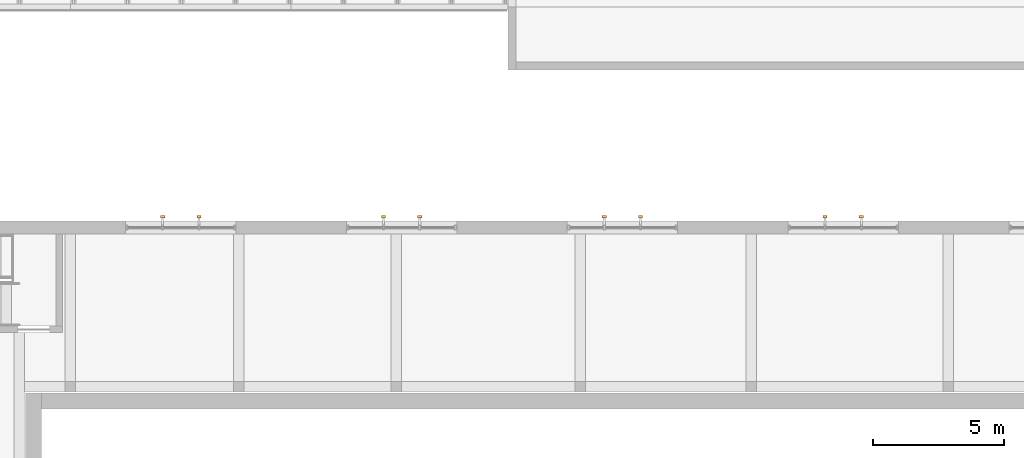
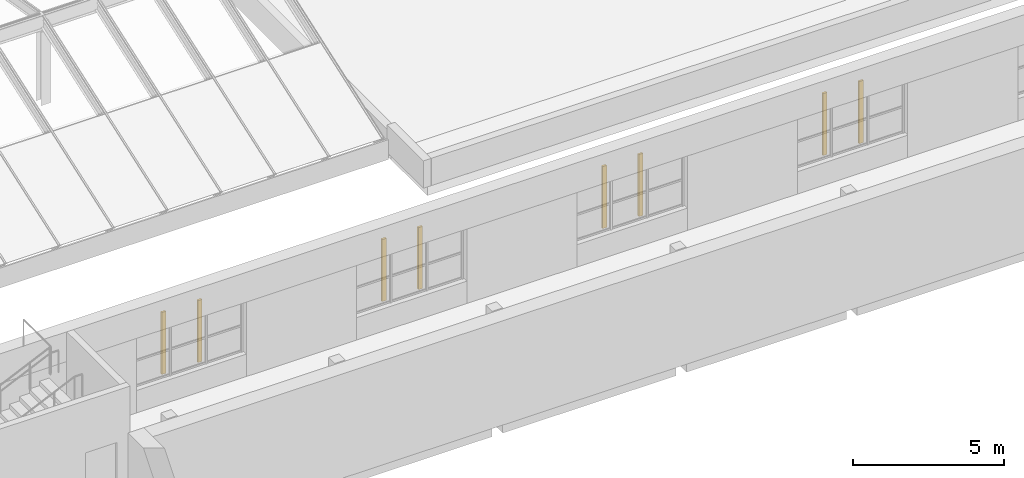
# One storey, part 58 of 60: 8 shading devices.
"""IFC4 building model written with IfcOpenShell, lengths in metres."""

import ifcopenshell
import ifcopenshell.guid

model = None  # the IFC model being written
_history = None  # IfcOwnerHistory: only IFC2X3 demands one
_inside = {}  # id of a spatial element -> (the spatial element, [elements in it])
_under = {}  # id of a project, library or spatial element -> (it, [spatial elements below it])
_declared = {}  # id of a project -> (the project, [libraries it declares])
_typed = {}  # id of a type object -> (the type object, [elements of that type])
_made_of = {}  # id of a material, layer set ... -> (it, [elements and type objects made of it])


def new_model(schema):
    """Start an empty IFC model of exactly this schema.

    Asked for "IFC4X3", IfcOpenShell would pick the latest addendum, in which some entities
    have other attributes; the version numbers below select the first issue.
    IFC2X3 requires an IfcOwnerHistory on every rooted entity: one is made here for all.
    """
    global model, _history
    if schema == "IFC4X3":
        model = ifcopenshell.file(schema_version=(4, 3, 0, 0))
    else:
        model = ifcopenshell.file(schema=schema)
    _inside.clear()
    _under.clear()
    _declared.clear()
    _typed.clear()
    _made_of.clear()
    _history = None
    if model.schema == "IFC2X3":
        org = make("IfcOrganization", Name="unknown")
        user = make(
            "IfcPersonAndOrganization",
            ThePerson=make("IfcPerson", FamilyName="unknown"),
            TheOrganization=org,
        )
        app = make(
            "IfcApplication",
            ApplicationDeveloper=org,
            Version="unknown",
            ApplicationFullName="unknown",
            ApplicationIdentifier="unknown",
        )
        _history = make(
            "IfcOwnerHistory",
            OwningUser=user,
            OwningApplication=app,
            ChangeAction="ADDED",
            CreationDate=0,
        )
    return model


def make(cls, **values):
    """One entity of the class cls with the attributes given. An attribute that is None is left unset."""
    return model.create_entity(
        cls, **{name: value for name, value in values.items() if value is not None}
    )


def rooted(cls, **values):
    """An entity with a GlobalId (a new one), such as an element, a storey or a relation."""
    return make(cls, GlobalId=ifcopenshell.guid.new(), OwnerHistory=_history, **values)


def si_unit(unit_type, name, prefix=None):
    """IfcSIUnit, for example si_unit("LENGTHUNIT", "METRE", prefix="MILLI")."""
    return make("IfcSIUnit", UnitType=unit_type, Prefix=prefix, Name=name)


def assignment(units):
    """IfcUnitAssignment: the units of a project."""
    return None if units is None else make("IfcUnitAssignment", Units=units)


def point(xyz):
    """IfcCartesianPoint."""
    return None if xyz is None else make("IfcCartesianPoint", Coordinates=xyz)


def direction(xyz):
    """IfcDirection."""
    return None if xyz is None else make("IfcDirection", DirectionRatios=xyz)


def frame(location, z_axis=None, x_axis=None):
    """IfcAxis2Placement3D, a coordinate frame: its origin and axes. An axis left out is left unset."""
    return make(
        "IfcAxis2Placement3D",
        Location=point(location),
        Axis=direction(z_axis),
        RefDirection=direction(x_axis),
    )


def frame_2d(location, x_axis=None):
    """IfcAxis2Placement2D, a coordinate frame in the plane: its origin and x axis."""
    return make(
        "IfcAxis2Placement2D", Location=point(location), RefDirection=direction(x_axis)
    )


def origin():
    """The frame at (0, 0, 0) with its axes left unset."""
    return frame((0.0, 0.0, 0.0))


def origin_2d():
    """The frame at (0, 0) in the plane with its x axis left unset."""
    return frame_2d((0.0, 0.0))


def place(relative_to, where):
    """IfcLocalPlacement: puts the frame where relative to a parent placement (None: the world)."""
    return make(
        "IfcLocalPlacement", PlacementRelTo=relative_to, RelativePlacement=where
    )


def context(
    kind, dimensions, precision=None, world=None, true_north=None, identifier=None
):
    """IfcGeometricRepresentationContext, for example the 3D "Model" context."""
    return make(
        "IfcGeometricRepresentationContext",
        ContextIdentifier=identifier,
        ContextType=kind,
        CoordinateSpaceDimension=dimensions,
        Precision=precision,
        WorldCoordinateSystem=world,
        TrueNorth=true_north,
    )


def subcontext(parent, identifier, kind, view, scale=None):
    """IfcGeometricRepresentationSubContext, for example "Body" below "Model"."""
    return make(
        "IfcGeometricRepresentationSubContext",
        ContextIdentifier=identifier,
        ContextType=kind,
        ParentContext=parent,
        TargetScale=scale,
        TargetView=view,
    )


def project(units=None, contexts=None):
    """IfcProject with its units and contexts."""
    return rooted(
        "IfcProject",
        Name="project",
        RepresentationContexts=contexts,
        UnitsInContext=assignment(units),
    )


def spatial(cls, under=None, at=None, **own):
    """A site, building, storey or space (cls), placed at a placement, below another one or the project."""
    s = rooted(cls, ObjectPlacement=at, **own)
    if under is not None:
        _under.setdefault(under.id(), (under, []))[1].append(s)
    return s


def profile(cls, at=None, kind="AREA", **sizes):
    """A parametric profile (cls). Its sizes go by their IFC names, for example OverallWidth=200.0."""
    return make(cls, ProfileType=kind, Position=at, **sizes)


def rectangle(**sizes):
    """IfcRectangleProfileDef."""
    return profile("IfcRectangleProfileDef", **sizes)


def extrude(swept, where, along, depth):
    """IfcExtrudedAreaSolid: the profile swept, set in the frame where, extruded along a direction by depth."""
    return make(
        "IfcExtrudedAreaSolid",
        SweptArea=swept,
        Position=where,
        ExtrudedDirection=direction(along),
        Depth=depth,
    )


def shape(context_of_items, identifier, shape_type, items):
    """IfcShapeRepresentation: the items that make up one representation, for example the "Body"."""
    return make(
        "IfcShapeRepresentation",
        ContextOfItems=context_of_items,
        RepresentationIdentifier=identifier,
        RepresentationType=shape_type,
        Items=items,
    )


def material(Name=None, Category=None):
    """IfcMaterial."""
    return make("IfcMaterial", Name=Name, Category=Category)


def made_of(thing, what):
    """Note that an element or type object is made of a material, layer set ...; save() writes the relation."""
    if what is not None:
        _made_of.setdefault(what.id(), (what, []))[1].append(thing)
    return thing


def type_object(cls, material=None, **own):
    """A type object (cls), such as IfcWallType, which elements share."""
    return made_of(rooted(cls, **own), material)


def element(
    cls,
    number,
    at=None,
    inside=None,
    cuts=None,
    type_object=None,
    material=None,
    context=None,
    identifier="Body",
    shape_type=None,
    held_by="IfcProductDefinitionShape",
    body=None,
    shapes=None,
    **own,
):
    """One element of the class cls, such as IfcWall. Its Tag is "e" and its number.

    at: its placement. inside: the storey or other place that contains it. cuts: it is an
    opening in that element (IfcRelVoidsElement). A single representation is given by context,
    identifier, shape_type and body (its items); several are given by shapes. held_by: the class
    of the entity that holds the representations. save() writes the other relations.
    """
    e = rooted(cls, Tag="e%d" % number, ObjectPlacement=at, **own)
    if body is not None:
        shapes = [shape(context, identifier, shape_type, body)]
    if shapes is not None:
        e.Representation = make(held_by, Representations=shapes)
    if inside is not None:
        _inside.setdefault(inside.id(), (inside, []))[1].append(e)
    if cuts is not None:
        rooted(
            "IfcRelVoidsElement", RelatingBuildingElement=cuts, RelatedOpeningElement=e
        )
    if type_object is not None:
        _typed.setdefault(type_object.id(), (type_object, []))[1].append(e)
    return made_of(e, material)


def aggregate(whole, parts):
    """IfcRelAggregates: a whole, such as a stair, and the parts it consists of."""
    return rooted("IfcRelAggregates", RelatingObject=whole, RelatedObjects=parts)


def save(model, path):
    """Write the relations noted so far, then the file.

    IfcRelAggregates (storeys below a building ...), IfcRelContainedInSpatialStructure (elements
    in a storey), IfcRelDefinesByType, IfcRelAssociatesMaterial and IfcRelDeclares: one each for
    every whole, place, type object, material and project.
    """
    for whole, parts in _under.values():
        aggregate(whole, parts)
    for where, things in _inside.values():
        rooted(
            "IfcRelContainedInSpatialStructure",
            RelatedElements=things,
            RelatingStructure=where,
        )
    for kind, things in _typed.values():
        rooted("IfcRelDefinesByType", RelatedObjects=things, RelatingType=kind)
    for what, things in _made_of.values():
        rooted("IfcRelAssociatesMaterial", RelatedObjects=things, RelatingMaterial=what)
    for by, libraries in _declared.values():
        rooted("IfcRelDeclares", RelatingContext=by, RelatedDefinitions=libraries)
    model.write(path)


model = new_model("IFC4")

# Units and contexts
model_context = context("Model", 3, precision=1e-05, world=origin(), true_north=direction((0.0, 1.0)))
body_context = subcontext(model_context, "Body", "Model", "MODEL_VIEW")
ifc_project = project(units=[si_unit("LENGTHUNIT", "METRE"), si_unit("AREAUNIT", "SQUARE_METRE"), si_unit("VOLUMEUNIT", "CUBIC_METRE"), si_unit("PLANEANGLEUNIT", "RADIAN"), si_unit("MASSUNIT", "GRAM", prefix="KILO")], contexts=[model_context])

# Site, building, storey
site_placement = place(None, origin())
site = spatial("IfcSite", under=ifc_project, at=site_placement, CompositionType="ELEMENT")
building_placement = place(site_placement, origin())
building = spatial("IfcBuilding", under=site, at=building_placement, Name="Ljudholm Concert House", CompositionType="ELEMENT")
storey_placement = place(building_placement, frame((0.0, 0.0, 15.0)))
storey = spatial("IfcBuildingStorey", under=building, at=storey_placement, Name="L03", CompositionType="ELEMENT", Elevation=15.0)

# Shading devices
ifc_material = material(Name="Aluminium extrusion with timber-grain PVDF finish", Category="aluminium")
shading_device_type = type_object("IfcShadingDeviceType", Name="FACADE FIN 80x160", PredefinedType="SHUTTER", material=ifc_material)
for number, where, z_axis, x_axis, name in (
    (1, (41.110107421875, 96.81005859375, 0.699951171875), (0.0, 0.0, 1.0), (0.0, 1.0, 0.0), "Facade fin"),
    (2, (42.489990234375, 96.81005859375, 0.699951171875), (0.0, 0.0, 1.0), (0.0, 1.0, 0.0), "Facade fin"),
    (3, (49.510009765625, 96.81005859375, 0.699951171875), (0.0, 0.0, 1.0), (0.0, 1.0, 0.0), "Facade fin"),
    (4, (50.889892578125, 96.81005859375, 0.699951171875), (0.0, 0.0, 1.0), (0.0, 1.0, 0.0), "Facade fin"),
    (5, (57.909912109375, 96.81005859375, 0.699951171875), (0.0, 0.0, 1.0), (0.0, 1.0, 0.0), "Facade fin"),
    (6, (59.2900390625, 96.81005859375, 0.699951171875), (0.0, 0.0, 1.0), (0.0, 1.0, 0.0), "Facade fin"),
    (7, (66.31005859375, 96.81005859375, 0.699951171875), (0.0, 0.0, 1.0), (0.0, 1.0, 0.0), "Facade fin"),
    (8, (67.68994140625, 96.81005859375, 0.699951171875), (0.0, 0.0, 1.0), (0.0, 1.0, 0.0), "Facade fin"),
):
    element("IfcShadingDevice", number, at=place(storey_placement, frame(where, z_axis=z_axis, x_axis=x_axis)), inside=storey, type_object=shading_device_type, Name=name, PredefinedType="SHUTTER", context=body_context, shape_type="SweptSolid", body=[
        extrude(rectangle(XDim=0.080078125, YDim=0.159912109375, at=origin_2d()), origin(), (0.0, 0.0, 1.0), 2.5),
    ])

save(model, "model.ifc")
